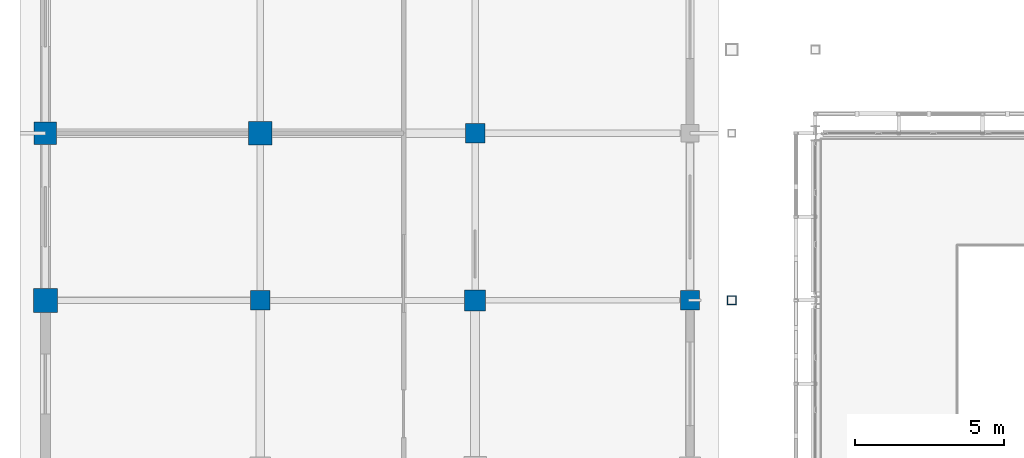
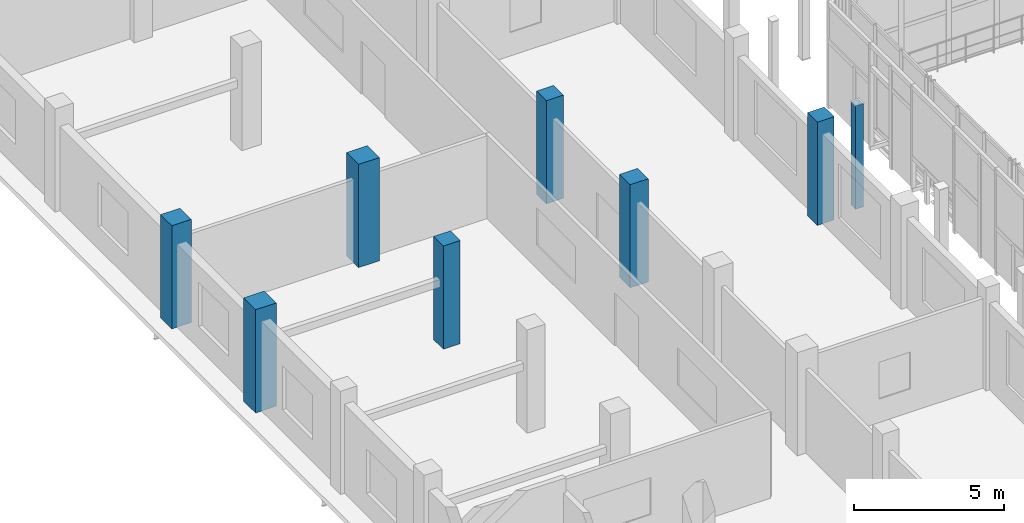
# One storey, part 9 of 121: 8 columns.
"""IFC4 building model written with IfcOpenShell, lengths in metres."""

from ifc_helpers import new_model, si_unit, direction, frame, origin, origin_2d, place, context, subcontext, project, spatial, rectangle, hollow_rectangle, extrude, material, material_profile, profile_set, type_object, element, save


model = new_model("IFC4")

# Units and contexts
model_context = context("Model", 3, precision=1e-05, world=origin(), true_north=direction((0.0, 1.0)))
body_context = subcontext(model_context, "Body", "Model", "MODEL_VIEW")
ifc_project = project(units=[si_unit("LENGTHUNIT", "METRE"), si_unit("AREAUNIT", "SQUARE_METRE"), si_unit("VOLUMEUNIT", "CUBIC_METRE"), si_unit("PLANEANGLEUNIT", "RADIAN"), si_unit("MASSUNIT", "GRAM", prefix="KILO")], contexts=[model_context])

# Site, building, storey
site_placement = place(None, origin())
site = spatial("IfcSite", under=ifc_project, at=site_placement, CompositionType="ELEMENT")
building_placement = place(site_placement, origin())
building = spatial("IfcBuilding", under=site, at=building_placement, Name="Vinh Khe Railworks Police Headquarters", CompositionType="ELEMENT")
storey_placement = place(building_placement, frame((0.0, 0.0, 4.800048828125)))
storey = spatial("IfcBuildingStorey", under=building, at=storey_placement, Name="L01", CompositionType="ELEMENT", Elevation=4.800048828125)

# Columns
ifc_material_1 = material(Name="Concrete C40/50 (B40)", Category="concrete")
ifc_material_profile_1 = material_profile(ifc_material_1, rectangle(XDim=0.64990234375, YDim=0.64990234375, at=origin_2d()), Name="RC 650x650")
ifc_profile_set_1 = profile_set([ifc_material_profile_1], Name="Concrete C40/50 (B40)")
column_type_1 = type_object("IfcColumnType", Name="RC Column RC 650x650", PredefinedType="COLUMN", material=ifc_profile_set_1)
for number, where, z_axis, x_axis, name in (
    (1, (7.800048828125, 53.199951171875, 0.0), (0.0, 0.0, 1.0), (1.0, 0.0, 0.0), "Column COL-L01-CC-04-0236"),
    (2, (15.0, 58.800048828125, 0.0), (0.0, 0.0, 1.0), (1.0, 0.0, 0.0), "Column COL-L01-CC-04-0413"),
    (3, (22.199951171875, 53.199951171875, 0.0), (0.0, 0.0, 1.0), (1.0, 0.0, 0.0), "Column COL-L01-CC-04-0564"),
):
    element("IfcColumn", number, at=place(storey_placement, frame(where, z_axis=z_axis, x_axis=x_axis)), inside=storey, type_object=column_type_1, Name=name, PredefinedType="COLUMN", context=body_context, shape_type="SweptSolid", body=[
        extrude(rectangle(XDim=0.64990234375, YDim=0.64990234375, at=origin_2d()), origin(), (0.0, 0.0, 1.0), 4.199951171875),
    ])
ifc_material_profile_2 = material_profile(ifc_material_1, rectangle(XDim=0.699951171875, YDim=0.699951171875, at=origin_2d()), Name="RC 700x700")
ifc_profile_set_2 = profile_set([ifc_material_profile_2], Name="Concrete C40/50 (B40)")
column_type_2 = type_object("IfcColumnType", Name="RC Column RC 700x700", PredefinedType="COLUMN", material=ifc_profile_set_2)
column_1_placement = place(storey_placement, frame((15.0, 53.199951171875, 0.0), z_axis=(0.0, 0.0, 1.0), x_axis=(1.0, 0.0, 0.0)))
element("IfcColumn", 4, at=column_1_placement, inside=storey, type_object=column_type_2, Name="Column COL-L01-CC-03-0403", PredefinedType="COLUMN", context=body_context, shape_type="SweptSolid", body=[
    extrude(rectangle(XDim=0.699951171875, YDim=0.699951171875, at=origin_2d()), origin(), (0.0, 0.0, 1.0), 4.199951171875),
])
ifc_material_profile_3 = material_profile(ifc_material_1, rectangle(XDim=0.75, YDim=0.75, at=origin_2d()), Name="RC 750x750")
ifc_profile_set_3 = profile_set([ifc_material_profile_3], Name="Concrete C40/50 (B40)")
column_type_3 = type_object("IfcColumnType", Name="RC Column RC 750x750", PredefinedType="COLUMN", material=ifc_profile_set_3)
column_2_placement = place(storey_placement, frame((0.60009765625, 58.800048828125, 0.0), z_axis=(0.0, 0.0, 1.0), x_axis=(1.0, 0.0, 0.0)))
element("IfcColumn", 5, at=column_2_placement, inside=storey, type_object=column_type_3, Name="Column COL-L01-CC-02-0079", PredefinedType="COLUMN", context=body_context, shape_type="SweptSolid", body=[
    extrude(rectangle(XDim=0.75, YDim=0.75, at=origin_2d()), origin(), (0.0, 0.0, 1.0), 4.199951171875),
])
ifc_material_profile_4 = material_profile(ifc_material_1, rectangle(XDim=0.800048828125, YDim=0.800048828125, at=origin_2d()), Name="RC 800x800")
ifc_profile_set_4 = profile_set([ifc_material_profile_4], Name="Concrete C40/50 (B40)")
column_type_4 = type_object("IfcColumnType", Name="RC Column RC 800x800", PredefinedType="COLUMN", material=ifc_profile_set_4)
for number, where, z_axis, x_axis, name in (
    (6, (0.60009765625, 53.199951171875, 0.0), (0.0, 0.0, 1.0), (1.0, 0.0, 0.0), "Column COL-L01-CC-01-0069"),
    (7, (7.800048828125, 58.800048828125, 0.0), (0.0, 0.0, 1.0), (1.0, 0.0, 0.0), "Column COL-L01-CC-01-0246"),
):
    element("IfcColumn", number, at=place(storey_placement, frame(where, z_axis=z_axis, x_axis=x_axis)), inside=storey, type_object=column_type_4, Name=name, PredefinedType="COLUMN", context=body_context, shape_type="SweptSolid", body=[
        extrude(rectangle(XDim=0.800048828125, YDim=0.800048828125, at=origin_2d()), origin(), (0.0, 0.0, 1.0), 4.199951171875),
    ])
ifc_material_2 = material(Name="Steel S355JR", Category="steel")
ifc_material_profile_5 = material_profile(ifc_material_2, hollow_rectangle(XDim=0.300048828125, YDim=0.300048828125, WallThickness=0.01611328125, at=origin_2d()), Name="SHS 300x300x16")
ifc_profile_set_5 = profile_set([ifc_material_profile_5], Name="Steel S355JR")
column_type_5 = type_object("IfcColumnType", Name="Steel Column SHS 300x300x16", PredefinedType="COLUMN", material=ifc_profile_set_5)
column_3_placement = place(storey_placement, frame((23.60009765625, 53.199951171875, 0.0), z_axis=(0.0, 0.0, 1.0), x_axis=(1.0, 0.0, 0.0)))
element("IfcColumn", 8, at=column_3_placement, inside=storey, type_object=column_type_5, Name="Column COL-L01-SC-23-0687", PredefinedType="COLUMN", context=body_context, shape_type="SweptSolid", body=[
    extrude(hollow_rectangle(XDim=0.300048828125, YDim=0.300048828125, WallThickness=0.01611328125, at=origin_2d()), origin(), (0.0, 0.0, 1.0), 4.199951171875),
])

save(model, "model.ifc")
